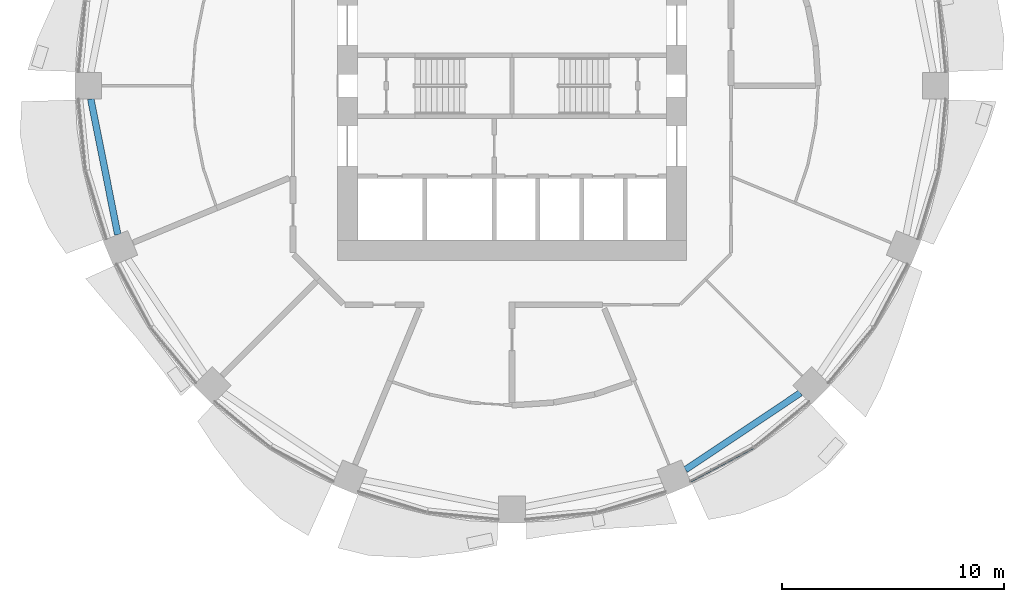
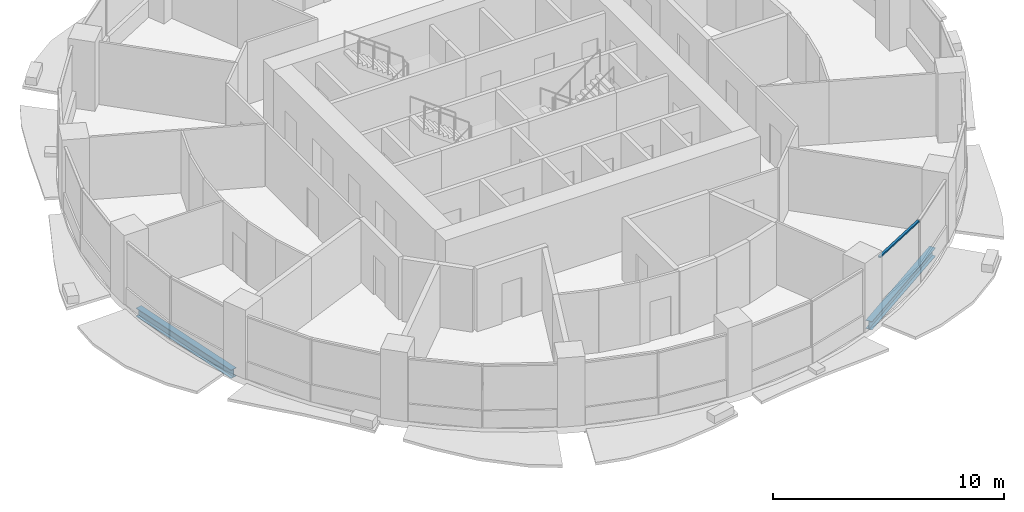
# One storey, part 3 of 15: 2 beams, 1 member, 1 element without a shape of its own.
"""IFC4 building model written with IfcOpenShell, lengths in metres."""

from ifc_helpers import new_model, si_unit, direction, frame, origin, origin_2d, place, context, subcontext, project, spatial, rectangle, i_section, extrude, material, material_profile, profile_set, type_object, element, aggregate, save


model = new_model("IFC4")

# Units and contexts
model_context = context("Model", 3, precision=1e-05, world=origin(), true_north=direction((0.0, 1.0)))
body_context = subcontext(model_context, "Body", "Model", "MODEL_VIEW")
ifc_project = project(units=[si_unit("LENGTHUNIT", "METRE"), si_unit("AREAUNIT", "SQUARE_METRE"), si_unit("VOLUMEUNIT", "CUBIC_METRE"), si_unit("PLANEANGLEUNIT", "RADIAN"), si_unit("MASSUNIT", "GRAM", prefix="KILO")], contexts=[model_context])

# Site, building, storey
site_placement = place(None, origin())
site = spatial("IfcSite", under=ifc_project, at=site_placement, CompositionType="ELEMENT")
building_placement = place(site_placement, origin())
building = spatial("IfcBuilding", under=site, at=building_placement, Name="Polderwave Tower", CompositionType="ELEMENT")
storey_placement = place(building_placement, frame((0.0, 0.0, 37.14990234375)))
storey = spatial("IfcBuildingStorey", under=building, at=storey_placement, Name="L09", CompositionType="ELEMENT", Elevation=37.14990234375)

# Curtain wall, member
ifc_material_1 = material(Name="Aluminium 6063-T6 and glass", Category="aluminium")
curtain_wall_type = type_object("IfcCurtainWallType", Name="Growing floor ribbon glazing wall", PredefinedType="NOTDEFINED", material=ifc_material_1)
curtain_wall_placement = place(storey_placement, origin())
curtain_wall = element("IfcCurtainWall", 1, at=curtain_wall_placement, inside=storey, type_object=curtain_wall_type, Name="CW2 L09 13", PredefinedType="NOTDEFINED")
ifc_material_2 = material(Name="Aluminium 6063-T6", Category="aluminium")
ifc_material_profile_1 = material_profile(ifc_material_2, rectangle(XDim=0.1201171875, YDim=0.080078125, at=origin_2d()), Name="AL 80x120")
ifc_profile_set_1 = profile_set([ifc_material_profile_1], Name="Aluminium 6063-T6")
member_type = type_object("IfcMemberType", Name="Growing floor ribbon glazing transom 80x120", PredefinedType="USERDEFINED", material=ifc_profile_set_1)
member_placement = place(storey_placement, frame((8.035888671875, -17.8330078125, 3.260009765625), z_axis=(0.881933848072, 0.471373193578, 0.0), x_axis=(-0.471373193578, 0.881933848072, 0.0)))
member = element("IfcMember", 2, at=member_placement, type_object=member_type, Name="CW2 transom 1", ObjectType="TRANSOM", PredefinedType="USERDEFINED", context=body_context, shape_type="SweptSolid", body=[
    extrude(rectangle(XDim=0.1201171875, YDim=0.080078125, at=origin_2d()), origin(), (0.0, 0.0, 1.0), 3.211669921875),
])
aggregate(curtain_wall, [member])

# Beams
ifc_material_3 = material(Name="Steel S355", Category="steel")
ifc_material_profile_2 = material_profile(ifc_material_3, i_section(OverallWidth=0.300048828125, OverallDepth=0.449951171875, WebThickness=0.013916015625, FlangeThickness=0.02587890625, at=origin_2d()), Name="HE 450 B")
ifc_profile_set_2 = profile_set([ifc_material_profile_2], Name="Steel S355")
beam_type = type_object("IfcBeamType", Name="RING BEAM HE 450 B", PredefinedType="BEAM", material=ifc_profile_set_2)
beam_1_placement = place(storey_placement, frame((-18.99072265625, -0.60009765625, -0.574951171875), z_axis=(0.195106645934, -0.980782033233, 0.0), x_axis=(0.980782033233, 0.195106645934, 0.0)))
element("IfcBeam", 3, at=beam_1_placement, inside=storey, type_object=beam_type, Name="ST-RB-L09-08", PredefinedType="BEAM", context=body_context, shape_type="SweptSolid", body=[
    extrude(i_section(OverallWidth=0.300048828125, OverallDepth=0.449951171875, WebThickness=0.013916015625, FlangeThickness=0.02587890625, at=origin_2d()), origin(), (0.0, 0.0, 1.0), 6.23291015625),
])
beam_2_placement = place(storey_placement, frame((7.82177734375, -17.3154296875, -0.574951171875), z_axis=(0.831477355721, 0.555558644, 0.0), x_axis=(-0.555558644, 0.831477355721, 0.0)))
element("IfcBeam", 4, at=beam_2_placement, inside=storey, type_object=beam_type, Name="ST-RB-L09-13", PredefinedType="BEAM", context=body_context, shape_type="SweptSolid", body=[
    extrude(i_section(OverallWidth=0.300048828125, OverallDepth=0.449951171875, WebThickness=0.013916015625, FlangeThickness=0.02587890625, at=origin_2d()), origin(), (0.0, 0.0, 1.0), 6.232666015625),
])

save(model, "model.ifc")
